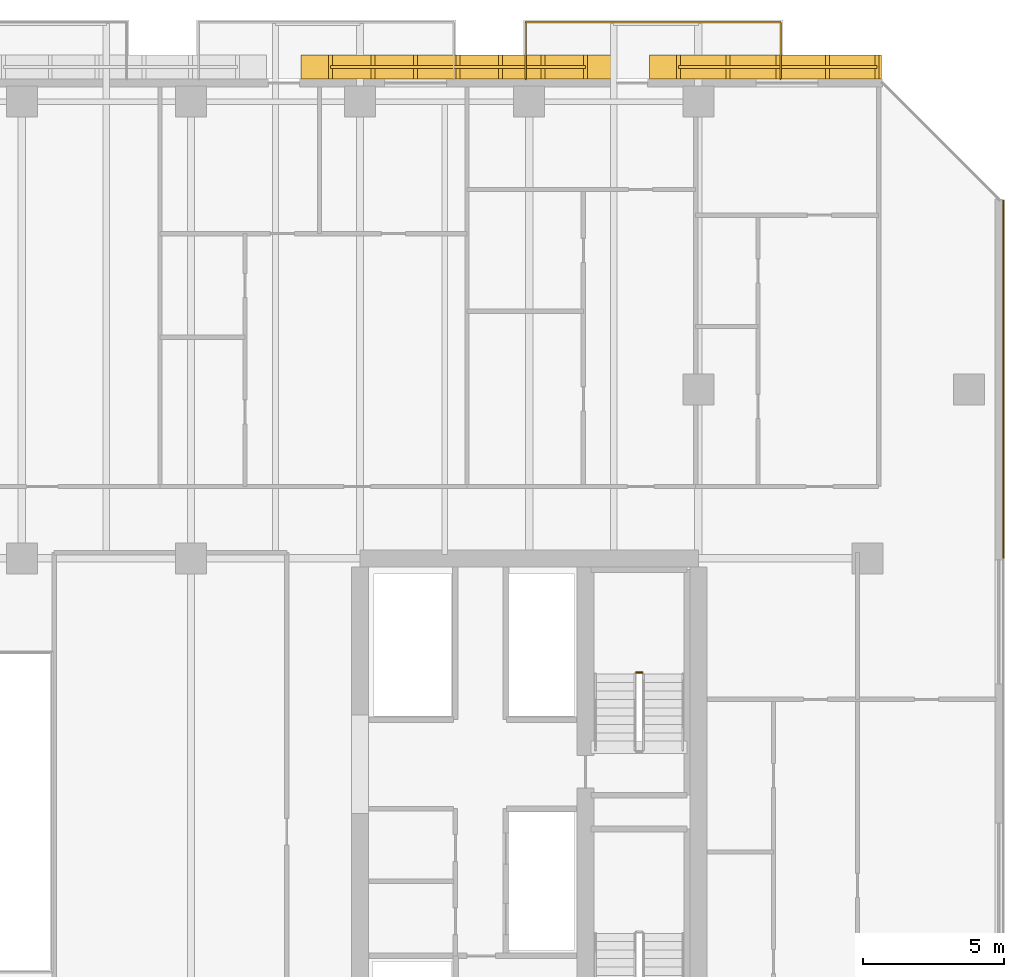
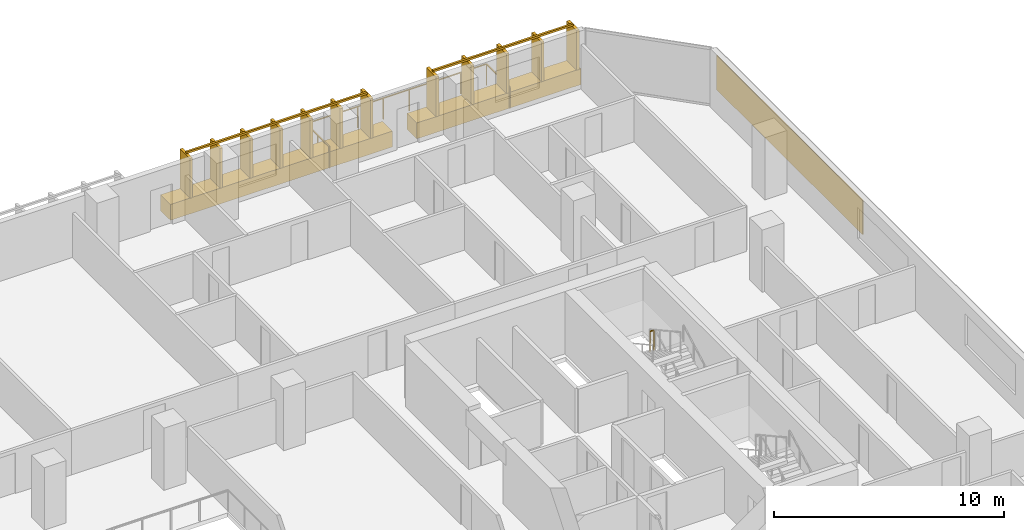
# One storey, part 34 of 34: 4 railings, 3 coverings.
"""IFC4 building model written with IfcOpenShell, lengths in metres."""

from ifc_helpers import new_model, si_unit, direction, frame, origin, origin_2d, place, context, subcontext, project, spatial, rectangle, extrude, material, layer, layer_set, type_object, element, save


model = new_model("IFC4")

# Units and contexts
model_context = context("Model", 3, precision=1e-05, world=origin(), true_north=direction((0.0, 1.0)))
body_context = subcontext(model_context, "Body", "Model", "MODEL_VIEW")
ifc_project = project(units=[si_unit("LENGTHUNIT", "METRE"), si_unit("AREAUNIT", "SQUARE_METRE"), si_unit("VOLUMEUNIT", "CUBIC_METRE"), si_unit("PLANEANGLEUNIT", "RADIAN"), si_unit("MASSUNIT", "GRAM", prefix="KILO")], contexts=[model_context])

# Site, building, storey
site_placement = place(None, origin())
site = spatial("IfcSite", under=ifc_project, at=site_placement, CompositionType="ELEMENT")
building_placement = place(site_placement, origin())
building = spatial("IfcBuilding", under=site, at=building_placement, Name="Tanjung Sevakor Pilgrim Tower", CompositionType="ELEMENT")
storey_placement = place(building_placement, frame((0.0, 0.0, 55.43994140625)))
storey = spatial("IfcBuildingStorey", under=building, at=storey_placement, Name="L15", CompositionType="ELEMENT", Elevation=55.43994140625)

# Coverings
ifc_material_1 = material(Name="Reconstructed Limestone Cladding", Category="masonry")
ifc_layer = layer(ifc_material_1, 0.044921875)
ifc_layer_set = layer_set([ifc_layer], Name="COV-CLAD-LIMESTONE")
covering_type = type_object("IfcCoveringType", Name="COV-CLAD-LIMESTONE", PredefinedType="CLADDING", material=ifc_layer_set)
covering_1_placement = place(storey_placement, frame((100.822509765625, 48.950927734375, 0.85009765625), z_axis=(0.0, 0.0, 1.0), x_axis=(0.0, 1.0, 0.0)))
element("IfcCovering", 1, at=covering_1_placement, inside=storey, type_object=covering_type, Name="L15 Warm Limestone Pier Panel EW-L15-MAIN-7-3", PredefinedType="CLADDING", context=body_context, shape_type="SweptSolid", body=[
    extrude(rectangle(XDim=12.701904296875, YDim=0.044921875, at=origin_2d()), origin(), (0.0, 0.0, 1.0), 1.81005859375),
])
covering_2_placement = place(storey_placement, frame((92.381103515625, 60.030029296875, 0.01025390625), z_axis=(0.0, 0.0, 1.0), x_axis=(-1.0, 0.0, 0.0)))
element("IfcCovering", 2, at=covering_2_placement, inside=storey, type_object=covering_type, Name="L15 Warm Limestone Sill Spandrel EW-L15-MAIN-9-1", PredefinedType="CLADDING", context=body_context, shape_type="SweptSolid", body=[
    extrude(rectangle(XDim=8.241943359375, YDim=0.860107421875, at=origin_2d()), origin(), (0.0, 0.0, 1.0), 0.840087890625),
])
covering_3_placement = place(storey_placement, frame((81.47509765625, 60.030029296875, 0.01025390625), z_axis=(0.0, 0.0, 1.0), x_axis=(-1.0, 0.0, 0.0)))
element("IfcCovering", 3, at=covering_3_placement, inside=storey, type_object=covering_type, Name="L15 Warm Limestone Sill Spandrel EW-L15-MAIN-9-2", PredefinedType="CLADDING", context=body_context, shape_type="SweptSolid", body=[
    extrude(rectangle(XDim=11.1298828125, YDim=0.860107421875, at=origin_2d()), origin(), (0.0, 0.0, 1.0), 0.840087890625),
])

# Railings
ifc_material_2 = material(Name="Laminated Glass and Aluminium", Category="aluminium")
railing_type_1 = type_object("IfcRailingType", Name="RL-BAL-BALUST", PredefinedType="BALUSTRADE", material=ifc_material_2)
railing_1_placement = place(storey_placement, frame((83.8798828125, 59.60009765625, 0.0)))
element("IfcRailing", 4, at=railing_1_placement, inside=storey, type_object=railing_type_1, Name="L15 Loggia Balustrade MAIN-N4", PredefinedType="BALUSTRADE", context=body_context, shape_type="SweptSolid", body=[
    extrude(rectangle(XDim=0.0479, YDim=0.0479), frame((0.0, 0.0, 1.1259765625), z_axis=(0.0, 1.0, 0.0), x_axis=(-1.0, 0.0, 0.0)), (0.0, 0.0, 1.0), 2.02001953125),
    extrude(rectangle(XDim=0.0479, YDim=0.0479), frame((0.0, 2.02001953125, 1.1259765625), z_axis=(1.0, 0.0, 0.0), x_axis=(0.0, 1.0, 0.0)), (0.0, 0.0, 1.0), 9.0400390625),
    extrude(rectangle(XDim=0.0479, YDim=0.0479), frame((9.0400390625, 2.02001953125, 1.1259765625), z_axis=(0.0, -1.0, 0.0), x_axis=(1.0, 0.0, 0.0)), (0.0, 0.0, 1.0), 2.02001953125),
    extrude(rectangle(XDim=0.042, YDim=0.042), origin(), (0.0, 0.0, 1.0), 1.101806640625),
    extrude(rectangle(XDim=0.042, YDim=0.042), frame((0.0, 1.010009765625, 0.0)), (0.0, 0.0, 1.0), 1.101806640625),
    extrude(rectangle(XDim=0.042, YDim=0.042), frame((0.0, 2.02001953125, 0.0)), (0.0, 0.0, 1.0), 1.101806640625),
    extrude(rectangle(XDim=0.042, YDim=0.042), frame((1.29150390625, 2.02001953125, 0.0)), (0.0, 0.0, 1.0), 1.101806640625),
    extrude(rectangle(XDim=0.042, YDim=0.042), frame((2.582763671875, 2.02001953125, 0.0)), (0.0, 0.0, 1.0), 1.101806640625),
    extrude(rectangle(XDim=0.042, YDim=0.042), frame((3.874267578125, 2.02001953125, 0.0)), (0.0, 0.0, 1.0), 1.101806640625),
    extrude(rectangle(XDim=0.042, YDim=0.042), frame((5.165771484375, 2.02001953125, 0.0)), (0.0, 0.0, 1.0), 1.101806640625),
    extrude(rectangle(XDim=0.042, YDim=0.042), frame((6.457275390625, 2.02001953125, 0.0)), (0.0, 0.0, 1.0), 1.101806640625),
    extrude(rectangle(XDim=0.042, YDim=0.042), frame((7.74853515625, 2.02001953125, 0.0)), (0.0, 0.0, 1.0), 1.101806640625),
    extrude(rectangle(XDim=0.042, YDim=0.042), frame((9.0400390625, 2.02001953125, 0.0)), (0.0, 0.0, 1.0), 1.101806640625),
    extrude(rectangle(XDim=0.042, YDim=0.042), frame((9.0400390625, 1.010009765625, 0.0)), (0.0, 0.0, 1.0), 1.101806640625),
    extrude(rectangle(XDim=0.042, YDim=0.042), frame((9.0400390625, 0.0, 0.0)), (0.0, 0.0, 1.0), 1.101806640625),
])
ifc_material_3 = material(Name="Anodised Bronze Aluminium 6063-T6", Category="aluminium")
railing_type_2 = type_object("IfcRailingType", Name="RL-FIN-SCREEN", PredefinedType="BALUSTRADE", material=ifc_material_3)
railing_2_placement = place(storey_placement, frame((96.342041015625, 60.02490234375, 0.840087890625)))
element("IfcRailing", 5, at=railing_2_placement, inside=storey, type_object=railing_type_2, Name="L15 Vertical Bronze-Gold Solar Fin Screen FNSCR-EW-L15-MAIN-9-1", PredefinedType="BALUSTRADE", context=body_context, shape_type="SweptSolid", body=[
    extrude(rectangle(XDim=0.105, YDim=0.105), frame((0.0, 0.0, 2.157470703125), z_axis=(-1.0, 0.0, 0.0), x_axis=(0.0, -1.0, 0.0)), (0.0, 0.0, 1.0), 7.0419921875),
    extrude(rectangle(XDim=0.14, YDim=0.85), origin(), (0.0, 0.0, 1.0), 2.10498046875),
    extrude(rectangle(XDim=0.14, YDim=0.85), frame((-1.760498046875, 0.0, 0.0)), (0.0, 0.0, 1.0), 2.10498046875),
    extrude(rectangle(XDim=0.14, YDim=0.85), frame((-3.52099609375, 0.0, 0.0)), (0.0, 0.0, 1.0), 2.10498046875),
    extrude(rectangle(XDim=0.14, YDim=0.85), frame((-5.281494140625, 0.0, 0.0)), (0.0, 0.0, 1.0), 2.10498046875),
    extrude(rectangle(XDim=0.14, YDim=0.85), frame((-7.0419921875, 0.0, 0.0)), (0.0, 0.0, 1.0), 2.10498046875),
])
railing_3_placement = place(storey_placement, frame((86.0, 60.02490234375, 0.840087890625)))
element("IfcRailing", 6, at=railing_3_placement, inside=storey, type_object=railing_type_2, Name="L15 Vertical Bronze-Gold Solar Fin Screen FNSCR-EW-L15-MAIN-9-2", PredefinedType="BALUSTRADE", context=body_context, shape_type="SweptSolid", body=[
    extrude(rectangle(XDim=0.105, YDim=0.105), frame((0.0, 0.0, 2.157470703125), z_axis=(-1.0, 0.0, 0.0), x_axis=(0.0, -1.0, 0.0)), (0.0, 0.0, 1.0), 9.050048828125),
    extrude(rectangle(XDim=0.14, YDim=0.85), origin(), (0.0, 0.0, 1.0), 2.10498046875),
    extrude(rectangle(XDim=0.14, YDim=0.85), frame((-1.50830078125, 0.0, 0.0)), (0.0, 0.0, 1.0), 2.10498046875),
    extrude(rectangle(XDim=0.14, YDim=0.85), frame((-3.0166015625, 0.0, 0.0)), (0.0, 0.0, 1.0), 2.10498046875),
    extrude(rectangle(XDim=0.14, YDim=0.85), frame((-4.52490234375, 0.0, 0.0)), (0.0, 0.0, 1.0), 2.10498046875),
    extrude(rectangle(XDim=0.14, YDim=0.85), frame((-6.033447265625, 0.0, 0.0)), (0.0, 0.0, 1.0), 2.10498046875),
    extrude(rectangle(XDim=0.14, YDim=0.85), frame((-7.541748046875, 0.0, 0.0)), (0.0, 0.0, 1.0), 2.10498046875),
    extrude(rectangle(XDim=0.14, YDim=0.85), frame((-9.050048828125, 0.0, 0.0)), (0.0, 0.0, 1.0), 2.10498046875),
])
ifc_material_4 = material(Name="Steel S355J2", Category="steel")
railing_type_3 = type_object("IfcRailingType", Name="RL-STAIR-GUARD", PredefinedType="GUARDRAIL", material=ifc_material_4)
railing_4_placement = place(storey_placement, frame((88.0, 38.550048828125, 1.650146484375)))
element("IfcRailing", 7, at=railing_4_placement, inside=storey, type_object=railing_type_3, Name="L15 TS-E2 stair guard 2", PredefinedType="GUARDRAIL", context=body_context, shape_type="SweptSolid", body=[
    extrude(rectangle(XDim=0.0479, YDim=0.0479), frame((0.0, 0.0, 1.076171875), z_axis=(-1.0, 0.0, 0.0), x_axis=(0.0, -1.0, 0.0)), (0.0, 0.0, 1.0), 0.199951171875),
    extrude(rectangle(XDim=0.042, YDim=0.042), origin(), (0.0, 0.0, 1.0), 1.052001953125),
    extrude(rectangle(XDim=0.042, YDim=0.042), frame((-0.199951171875, 0.0, 0.0)), (0.0, 0.0, 1.0), 1.052001953125),
])

save(model, "model.ifc")
